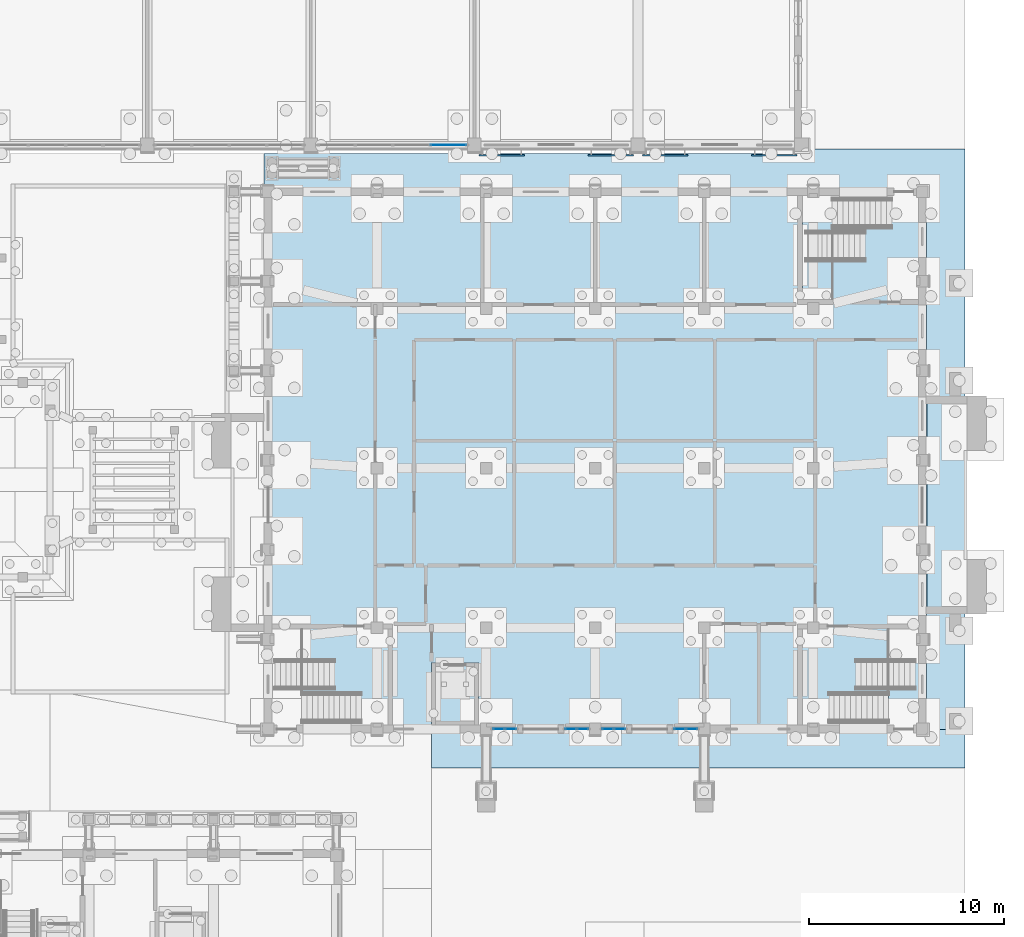
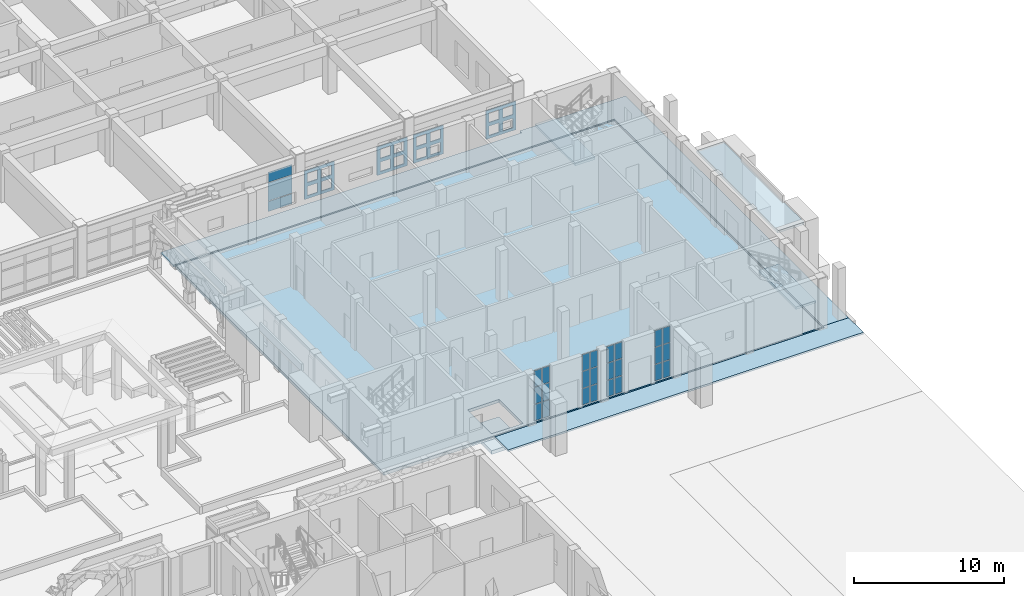
# One storey, part 57 of 112: 31 plates, 7 slabs, 7 elements without a shape of their own.
"""IFC4 building model written with IfcOpenShell, lengths in metres."""

from ifc_helpers import new_model, si_unit, direction, frame, origin, origin_2d, place, context, subcontext, project, spatial, polyline, rectangle, outline, extrude, material, layer, layer_set, material_profile, profile_set, type_object, element, aggregate, save


model = new_model("IFC4")

# Units and contexts
model_context = context("Model", 3, precision=1e-05, world=origin(), true_north=direction((0.0, 1.0)))
body_context = subcontext(model_context, "Body", "Model", "MODEL_VIEW")
ifc_project = project(units=[si_unit("LENGTHUNIT", "METRE"), si_unit("AREAUNIT", "SQUARE_METRE"), si_unit("VOLUMEUNIT", "CUBIC_METRE"), si_unit("PLANEANGLEUNIT", "RADIAN"), si_unit("MASSUNIT", "GRAM", prefix="KILO")], contexts=[model_context])

# Site, building, storey
site_placement = place(None, origin())
site = spatial("IfcSite", under=ifc_project, at=site_placement, CompositionType="ELEMENT")
building_placement = place(site_placement, origin())
building = spatial("IfcBuilding", under=site, at=building_placement, Name="Wasatch Bagh Community Centre", CompositionType="ELEMENT")
storey_placement = place(building_placement, origin())
storey = spatial("IfcBuildingStorey", under=building, at=storey_placement, Name="L00", CompositionType="ELEMENT", Elevation=0.0)

# Slabs
ifc_material_1 = material(Name="Concrete C35", Category="concrete")
ifc_layer_1 = layer(ifc_material_1, 0.199951171875)
ifc_layer_set_1 = layer_set([ifc_layer_1], Name="Concrete C35")
slab_type_1 = type_object("IfcSlabType", Name="CL-S1", PredefinedType="ROOF", material=ifc_layer_set_1)
slab_1_placement = place(storey_placement, frame((0.0, 0.0, 3.85009765625)))
element("IfcSlab", 1, at=slab_1_placement, inside=storey, type_object=slab_type_1, Name="CL-S1 porch roof", PredefinedType="ROOF", context=body_context, shape_type="SweptSolid", body=[
    extrude(outline(polyline([(148.10009765625, 55.10009765625), (148.10009765625, 44.300048828125), (146.050048828125, 44.300048828125), (146.050048828125, 55.10009765625), (148.10009765625, 55.10009765625)])), origin(), (0.0, 0.0, 1.0), 0.199951171875),
])
ifc_material_2 = material(Name="Concrete C30", Category="concrete")
ifc_layer_2 = layer(ifc_material_2, 0.25)
ifc_layer_set_2 = layer_set([ifc_layer_2], Name="Concrete C30")
slab_type_2 = type_object("IfcSlabType", Name="FD-SG-SH", PredefinedType="BASESLAB", material=ifc_layer_set_2)
slab_2_placement = place(storey_placement, frame((0.0, 0.0, -0.25)))
element("IfcSlab", 2, at=slab_2_placement, inside=storey, type_object=slab_type_2, Name="Slab on grade SH", PredefinedType="BASESLAB", context=body_context, shape_type="SweptSolid", body=[
    extrude(outline(polyline([(112.10009765625, 38.10009765625), (112.10009765625, 65.89990234375), (145.89990234375, 65.89990234375), (145.89990234375, 38.10009765625), (112.10009765625, 38.10009765625)]), holes=[polyline([(123.0009765625, 41.610107421875), (120.60009765625, 41.610107421875), (120.590087890625, 41.60009765625), (120.590087890625, 38.39990234375), (120.60009765625, 38.389892578125), (123.0, 38.389892578125), (123.010009765625, 38.39990234375), (123.010009765625, 41.60009765625), (123.0009765625, 41.610107421875)])]), origin(), (0.0, 0.0, 1.0), 0.25),
])

# Curtain wall, plates
ifc_material_3 = material(Name="Aluminium curtain wall frame with low-iron glass", Category="aluminium")
ifc_layer_3 = layer(ifc_material_3, 0.139892578125)
ifc_layer_set_3 = layer_set([ifc_layer_3], Name="Aluminium curtain wall frame with low-iron glass")
curtain_wall_type_1 = type_object("IfcCurtainWallType", Name="LW terrace front curtain wall 140", PredefinedType="NOTDEFINED", material=ifc_layer_set_3)
curtain_wall_1_placement = place(storey_placement, origin())
curtain_wall_1 = element("IfcCurtainWall", 3, at=curtain_wall_1_placement, inside=storey, type_object=curtain_wall_type_1, Name="Curtain wall 00.05", PredefinedType="NOTDEFINED")
ifc_material_4 = material(Name="Low-iron insulated glass", Category="glass")
ifc_layer_4 = layer(ifc_material_4, 0.028076171875)
ifc_layer_set_4 = layer_set([ifc_layer_4], Name="Low-iron insulated glass")
plate_type_1 = type_object("IfcPlateType", Name="LW curtain wall panel 28 LW-CW3", PredefinedType="CURTAIN_PANEL", material=ifc_layer_set_4)
plate_1_placement = place(storey_placement, frame((121.472412109375, 68.199951171875, 0.06005859375), z_axis=(0.0, 0.0, 1.0), x_axis=(1.0, 0.0, 0.0)))
plate_1 = element("IfcPlate", 4, at=plate_1_placement, type_object=plate_type_1, Name="LW-CW3 panel 4.1", PredefinedType="CURTAIN_PANEL", context=body_context, shape_type="SweptSolid", body=[
    extrude(rectangle(XDim=1.8349609375, YDim=0.028076171875, at=origin_2d()), origin(), (0.0, 0.0, 1.0), 0.81005859375),
])
plate_2_placement = place(storey_placement, frame((121.472412109375, 68.199951171875, 0.929931640625), z_axis=(0.0, 0.0, 1.0), x_axis=(1.0, 0.0, 0.0)))
plate_2 = element("IfcPlate", 5, at=plate_2_placement, type_object=plate_type_1, Name="LW-CW3 panel 4.2", PredefinedType="CURTAIN_PANEL", context=body_context, shape_type="SweptSolid", body=[
    extrude(rectangle(XDim=1.8349609375, YDim=0.028076171875, at=origin_2d()), origin(), (0.0, 0.0, 1.0), 1.43994140625),
])
plate_3_placement = place(storey_placement, frame((121.472412109375, 68.199951171875, 2.429931640625), z_axis=(0.0, 0.0, 1.0), x_axis=(1.0, 0.0, 0.0)))
plate_3 = element("IfcPlate", 6, at=plate_3_placement, type_object=plate_type_1, Name="LW-CW3 panel 4.3", PredefinedType="CURTAIN_PANEL", context=body_context, shape_type="SweptSolid", body=[
    extrude(rectangle(XDim=1.8349609375, YDim=0.028076171875, at=origin_2d()), origin(), (0.0, 0.0, 1.0), 0.830078125),
])
aggregate(curtain_wall_1, [plate_1, plate_2, plate_3])

# Plates
ifc_material_5 = material(Name="Precast concrete C40/50", Category="concrete")
ifc_material_profile = material_profile(ifc_material_5, outline(polyline([(-1.159912109375, -1.159912109375), (1.159912109375, -1.159912109375), (1.159912109375, 1.159912109375), (-1.159912109375, 1.159912109375), (-1.159912109375, -1.159912109375)]), holes=[polyline([(-0.919921875, -0.919921875), (-0.14990234375, -0.919921875), (-0.14990234375, -0.14990234375), (-0.919921875, -0.14990234375), (-0.919921875, -0.919921875)]), polyline([(-0.919921875, 0.14990234375), (-0.14990234375, 0.14990234375), (-0.14990234375, 0.919921875), (-0.919921875, 0.919921875), (-0.919921875, 0.14990234375)]), polyline([(0.14990234375, -0.919921875), (0.919921875, -0.919921875), (0.919921875, -0.14990234375), (0.14990234375, -0.14990234375), (0.14990234375, -0.919921875)]), polyline([(0.14990234375, 0.14990234375), (0.919921875, 0.14990234375), (0.919921875, 0.919921875), (0.14990234375, 0.919921875), (0.14990234375, 0.14990234375)])]), Name="Jali lattice")
ifc_profile_set = profile_set([ifc_material_profile], Name="Precast concrete C40/50")
plate_type_2 = type_object("IfcPlateType", Name="LW jali panel 2320x2320", PredefinedType="SHEET", material=ifc_profile_set)
for number, where, z_axis, x_axis, name in (
    (7, (124.199951171875, 67.699951171875, 1.659912109375), (0.0, -1.0, 0.0), (1.0, 0.0, 0.0), "Jali panel"),
    (8, (129.800048828125, 67.699951171875, 1.659912109375), (0.0, -1.0, 0.0), (1.0, 0.0, 0.0), "Jali panel"),
    (9, (132.60009765625, 67.699951171875, 1.659912109375), (0.0, -1.0, 0.0), (1.0, 0.0, 0.0), "Jali panel"),
    (10, (138.199951171875, 67.699951171875, 1.659912109375), (0.0, -1.0, 0.0), (1.0, 0.0, 0.0), "Jali panel"),
):
    element("IfcPlate", number, at=place(storey_placement, frame(where, z_axis=z_axis, x_axis=x_axis)), inside=storey, type_object=plate_type_2, Name=name, PredefinedType="SHEET", context=body_context, shape_type="SweptSolid", body=[
        extrude(outline(polyline([(-1.159912109375, -1.159912109375), (1.159912109375, -1.159912109375), (1.159912109375, 1.159912109375), (-1.159912109375, 1.159912109375), (-1.159912109375, -1.159912109375)]), holes=[polyline([(-0.919921875, -0.919921875), (-0.14990234375, -0.919921875), (-0.14990234375, -0.14990234375), (-0.919921875, -0.14990234375), (-0.919921875, -0.919921875)]), polyline([(-0.919921875, 0.14990234375), (-0.14990234375, 0.14990234375), (-0.14990234375, 0.919921875), (-0.919921875, 0.919921875), (-0.919921875, 0.14990234375)]), polyline([(0.14990234375, -0.919921875), (0.919921875, -0.919921875), (0.919921875, -0.14990234375), (0.14990234375, -0.14990234375), (0.14990234375, -0.919921875)]), polyline([(0.14990234375, 0.14990234375), (0.919921875, 0.14990234375), (0.919921875, 0.919921875), (0.14990234375, 0.919921875), (0.14990234375, 0.14990234375)])]), origin(), (0.0, 0.0, 1.0), 0.070068359375),
    ])

# Stair, slab
stair_type = type_object("IfcStairType", Name="SH stair 1500", PredefinedType="HALF_TURN_STAIR", material=ifc_material_1)
stair_1_placement = place(storey_placement, origin())
stair_1 = element("IfcStair", 11, at=stair_1_placement, inside=storey, type_object=stair_type, Name="ST2 stair", PredefinedType="HALF_TURN_STAIR")
ifc_layer_5 = layer(ifc_material_1, 0.199951171875)
ifc_layer_set_5 = layer_set([ifc_layer_5], Name="Concrete C35")
slab_type_3 = type_object("IfcSlabType", Name="SH landing 200", PredefinedType="LANDING", material=ifc_layer_set_5)
slab_3_placement = place(storey_placement, frame((0.0, 0.0, 1.89990234375)))
slab_3 = element("IfcSlab", 12, at=slab_3_placement, type_object=slab_type_3, Name="ST2 landing 1", PredefinedType="LANDING", context=body_context, shape_type="SweptSolid", body=[
    extrude(outline(polyline([(144.06005859375, 38.39990234375), (145.60009765625, 38.39990234375), (145.60009765625, 43.35009765625), (144.06005859375, 43.35009765625), (144.06005859375, 38.39990234375)])), origin(), (0.0, 0.0, 1.0), 0.2001953125),
])
aggregate(stair_1, [slab_3])

stair_2_placement = place(storey_placement, origin())
stair_2 = element("IfcStair", 13, at=stair_2_placement, inside=storey, type_object=stair_type, Name="ST3 stair", PredefinedType="HALF_TURN_STAIR")
slab_4_placement = place(storey_placement, frame((0.0, 0.0, 1.89990234375)))
slab_4 = element("IfcSlab", 14, at=slab_4_placement, type_object=slab_type_3, Name="ST3 landing 1", PredefinedType="LANDING", context=body_context, shape_type="SweptSolid", body=[
    extrude(outline(polyline([(141.18994140625, 65.60009765625), (139.64990234375, 65.60009765625), (139.64990234375, 60.25), (141.18994140625, 60.25), (141.18994140625, 65.60009765625)])), origin(), (0.0, 0.0, 1.0), 0.2001953125),
])
aggregate(stair_2, [slab_4])

# Slab
ifc_layer_6 = layer(ifc_material_1, 0.300048828125)
ifc_layer_set_6 = layer_set([ifc_layer_6], Name="Concrete C35")
slab_type_4 = type_object("IfcSlabType", Name="SH lift pit slab 300", PredefinedType="BASESLAB", material=ifc_layer_set_6)
slab_5_placement = place(storey_placement, frame((0.0, 0.0, -1.699951171875)))
element("IfcSlab", 15, at=slab_5_placement, inside=storey, type_object=slab_type_4, Name="SH.slab.L00.pit.LF1", PredefinedType="BASESLAB", context=body_context, shape_type="SweptSolid", body=[
    extrude(outline(polyline([(120.60009765625, 38.39990234375), (123.0, 38.39990234375), (123.0, 41.60009765625), (120.60009765625, 41.60009765625), (120.60009765625, 38.39990234375)])), origin(), (0.0, 0.0, 1.0), 0.300048828125),
])

# Curtain wall, plates
ifc_material_6 = material(Name="Aluminium alloy 6063-T6", Category="aluminium")
ifc_layer_7 = layer(ifc_material_6, 0.10009765625)
ifc_layer_set_7 = layer_set([ifc_layer_7], Name="Aluminium alloy 6063-T6")
curtain_wall_type_2 = type_object("IfcCurtainWallType", Name="SH-CW1", PredefinedType="NOTDEFINED", material=ifc_layer_set_7)
curtain_wall_2_placement = place(storey_placement, origin())
curtain_wall_2 = element("IfcCurtainWall", 16, at=curtain_wall_2_placement, inside=storey, type_object=curtain_wall_type_2, Name="Curtain wall SH-CW1", PredefinedType="NOTDEFINED")
ifc_material_7 = material(Name="Laminated glass 8+8 mm", Category="glass")
ifc_layer_8 = layer(ifc_material_7, 0.028076171875)
ifc_layer_set_8 = layer_set([ifc_layer_8], Name="Laminated glass 8+8 mm")
plate_type_3 = type_object("IfcPlateType", Name="SH-CW1 panel", PredefinedType="CURTAIN_PANEL", material=ifc_layer_set_8)
plate_4_placement = place(storey_placement, frame((124.0400390625, 38.199951171875, 0.06005859375), z_axis=(0.0, 0.0, 1.0), x_axis=(1.0, 0.0, 0.0)))
plate_4 = element("IfcPlate", 17, at=plate_4_placement, type_object=plate_type_3, Name="SH-CW1 panel 1.1", PredefinedType="CURTAIN_PANEL", context=body_context, shape_type="SweptSolid", body=[
    extrude(rectangle(XDim=0.56005859375, YDim=0.028076171875, at=origin_2d()), origin(), (0.0, 0.0, 1.0), 1.31005859375),
])
plate_5_placement = place(storey_placement, frame((124.0400390625, 38.199951171875, 1.43017578125), z_axis=(0.0, 0.0, 1.0), x_axis=(1.0, 0.0, 0.0)))
plate_5 = element("IfcPlate", 18, at=plate_5_placement, type_object=plate_type_3, Name="SH-CW1 panel 1.2", PredefinedType="CURTAIN_PANEL", context=body_context, shape_type="SweptSolid", body=[
    extrude(rectangle(XDim=0.56005859375, YDim=0.028076171875, at=origin_2d()), origin(), (0.0, 0.0, 1.0), 1.340087890625),
])
plate_6_placement = place(storey_placement, frame((124.0400390625, 38.199951171875, 2.830078125), z_axis=(0.0, 0.0, 1.0), x_axis=(1.0, 0.0, 0.0)))
plate_6 = element("IfcPlate", 19, at=plate_6_placement, type_object=plate_type_3, Name="SH-CW1 panel 1.3", PredefinedType="CURTAIN_PANEL", context=body_context, shape_type="SweptSolid", body=[
    extrude(rectangle(XDim=0.56005859375, YDim=0.028076171875, at=origin_2d()), origin(), (0.0, 0.0, 1.0), 1.31005859375),
])
plate_7_placement = place(storey_placement, frame((124.659912109375, 38.199951171875, 0.06005859375), z_axis=(0.0, 0.0, 1.0), x_axis=(1.0, 0.0, 0.0)))
plate_7 = element("IfcPlate", 20, at=plate_7_placement, type_object=plate_type_3, Name="SH-CW1 panel 2.1", PredefinedType="CURTAIN_PANEL", context=body_context, shape_type="SweptSolid", body=[
    extrude(rectangle(XDim=0.56005859375, YDim=0.028076171875, at=origin_2d()), origin(), (0.0, 0.0, 1.0), 1.31005859375),
])
plate_8_placement = place(storey_placement, frame((124.659912109375, 38.199951171875, 1.43017578125), z_axis=(0.0, 0.0, 1.0), x_axis=(1.0, 0.0, 0.0)))
plate_8 = element("IfcPlate", 21, at=plate_8_placement, type_object=plate_type_3, Name="SH-CW1 panel 2.2", PredefinedType="CURTAIN_PANEL", context=body_context, shape_type="SweptSolid", body=[
    extrude(rectangle(XDim=0.56005859375, YDim=0.028076171875, at=origin_2d()), origin(), (0.0, 0.0, 1.0), 1.340087890625),
])
plate_9_placement = place(storey_placement, frame((124.659912109375, 38.199951171875, 2.830078125), z_axis=(0.0, 0.0, 1.0), x_axis=(1.0, 0.0, 0.0)))
plate_9 = element("IfcPlate", 22, at=plate_9_placement, type_object=plate_type_3, Name="SH-CW1 panel 2.3", PredefinedType="CURTAIN_PANEL", context=body_context, shape_type="SweptSolid", body=[
    extrude(rectangle(XDim=0.56005859375, YDim=0.028076171875, at=origin_2d()), origin(), (0.0, 0.0, 1.0), 1.31005859375),
])
aggregate(curtain_wall_2, [plate_4, plate_5, plate_6, plate_7, plate_8, plate_9])

curtain_wall_3_placement = place(storey_placement, origin())
curtain_wall_3 = element("IfcCurtainWall", 23, at=curtain_wall_3_placement, inside=storey, type_object=curtain_wall_type_2, Name="Curtain wall SH-CW1", PredefinedType="NOTDEFINED")
plate_10_placement = place(storey_placement, frame((127.739990234375, 38.199951171875, 0.06005859375), z_axis=(0.0, 0.0, 1.0), x_axis=(1.0, 0.0, 0.0)))
plate_10 = element("IfcPlate", 24, at=plate_10_placement, type_object=plate_type_3, Name="SH-CW1 panel 1.1", PredefinedType="CURTAIN_PANEL", context=body_context, shape_type="SweptSolid", body=[
    extrude(rectangle(XDim=0.56005859375, YDim=0.028076171875, at=origin_2d()), origin(), (0.0, 0.0, 1.0), 1.31005859375),
])
plate_11_placement = place(storey_placement, frame((127.739990234375, 38.199951171875, 1.43017578125), z_axis=(0.0, 0.0, 1.0), x_axis=(1.0, 0.0, 0.0)))
plate_11 = element("IfcPlate", 25, at=plate_11_placement, type_object=plate_type_3, Name="SH-CW1 panel 1.2", PredefinedType="CURTAIN_PANEL", context=body_context, shape_type="SweptSolid", body=[
    extrude(rectangle(XDim=0.56005859375, YDim=0.028076171875, at=origin_2d()), origin(), (0.0, 0.0, 1.0), 1.340087890625),
])
plate_12_placement = place(storey_placement, frame((127.739990234375, 38.199951171875, 2.830078125), z_axis=(0.0, 0.0, 1.0), x_axis=(1.0, 0.0, 0.0)))
plate_12 = element("IfcPlate", 26, at=plate_12_placement, type_object=plate_type_3, Name="SH-CW1 panel 1.3", PredefinedType="CURTAIN_PANEL", context=body_context, shape_type="SweptSolid", body=[
    extrude(rectangle(XDim=0.56005859375, YDim=0.028076171875, at=origin_2d()), origin(), (0.0, 0.0, 1.0), 1.31005859375),
])
plate_13_placement = place(storey_placement, frame((128.360107421875, 38.199951171875, 0.06005859375), z_axis=(0.0, 0.0, 1.0), x_axis=(1.0, 0.0, 0.0)))
plate_13 = element("IfcPlate", 27, at=plate_13_placement, type_object=plate_type_3, Name="SH-CW1 panel 2.1", PredefinedType="CURTAIN_PANEL", context=body_context, shape_type="SweptSolid", body=[
    extrude(rectangle(XDim=0.56005859375, YDim=0.028076171875, at=origin_2d()), origin(), (0.0, 0.0, 1.0), 1.31005859375),
])
plate_14_placement = place(storey_placement, frame((128.360107421875, 38.199951171875, 1.43017578125), z_axis=(0.0, 0.0, 1.0), x_axis=(1.0, 0.0, 0.0)))
plate_14 = element("IfcPlate", 28, at=plate_14_placement, type_object=plate_type_3, Name="SH-CW1 panel 2.2", PredefinedType="CURTAIN_PANEL", context=body_context, shape_type="SweptSolid", body=[
    extrude(rectangle(XDim=0.56005859375, YDim=0.028076171875, at=origin_2d()), origin(), (0.0, 0.0, 1.0), 1.340087890625),
])
plate_15_placement = place(storey_placement, frame((128.360107421875, 38.199951171875, 2.830078125), z_axis=(0.0, 0.0, 1.0), x_axis=(1.0, 0.0, 0.0)))
plate_15 = element("IfcPlate", 29, at=plate_15_placement, type_object=plate_type_3, Name="SH-CW1 panel 2.3", PredefinedType="CURTAIN_PANEL", context=body_context, shape_type="SweptSolid", body=[
    extrude(rectangle(XDim=0.56005859375, YDim=0.028076171875, at=origin_2d()), origin(), (0.0, 0.0, 1.0), 1.31005859375),
])
aggregate(curtain_wall_3, [plate_10, plate_11, plate_12, plate_13, plate_14, plate_15])

curtain_wall_4_placement = place(storey_placement, origin())
curtain_wall_4 = element("IfcCurtainWall", 30, at=curtain_wall_4_placement, inside=storey, type_object=curtain_wall_type_2, Name="Curtain wall SH-CW1", PredefinedType="NOTDEFINED")
plate_16_placement = place(storey_placement, frame((129.639892578125, 38.199951171875, 0.06005859375), z_axis=(0.0, 0.0, 1.0), x_axis=(1.0, 0.0, 0.0)))
plate_16 = element("IfcPlate", 31, at=plate_16_placement, type_object=plate_type_3, Name="SH-CW1 panel 1.1", PredefinedType="CURTAIN_PANEL", context=body_context, shape_type="SweptSolid", body=[
    extrude(rectangle(XDim=0.56005859375, YDim=0.028076171875, at=origin_2d()), origin(), (0.0, 0.0, 1.0), 1.31005859375),
])
plate_17_placement = place(storey_placement, frame((129.639892578125, 38.199951171875, 1.43017578125), z_axis=(0.0, 0.0, 1.0), x_axis=(1.0, 0.0, 0.0)))
plate_17 = element("IfcPlate", 32, at=plate_17_placement, type_object=plate_type_3, Name="SH-CW1 panel 1.2", PredefinedType="CURTAIN_PANEL", context=body_context, shape_type="SweptSolid", body=[
    extrude(rectangle(XDim=0.56005859375, YDim=0.028076171875, at=origin_2d()), origin(), (0.0, 0.0, 1.0), 1.340087890625),
])
plate_18_placement = place(storey_placement, frame((129.639892578125, 38.199951171875, 2.830078125), z_axis=(0.0, 0.0, 1.0), x_axis=(1.0, 0.0, 0.0)))
plate_18 = element("IfcPlate", 33, at=plate_18_placement, type_object=plate_type_3, Name="SH-CW1 panel 1.3", PredefinedType="CURTAIN_PANEL", context=body_context, shape_type="SweptSolid", body=[
    extrude(rectangle(XDim=0.56005859375, YDim=0.028076171875, at=origin_2d()), origin(), (0.0, 0.0, 1.0), 1.31005859375),
])
plate_19_placement = place(storey_placement, frame((130.260009765625, 38.199951171875, 0.06005859375), z_axis=(0.0, 0.0, 1.0), x_axis=(1.0, 0.0, 0.0)))
plate_19 = element("IfcPlate", 34, at=plate_19_placement, type_object=plate_type_3, Name="SH-CW1 panel 2.1", PredefinedType="CURTAIN_PANEL", context=body_context, shape_type="SweptSolid", body=[
    extrude(rectangle(XDim=0.56005859375, YDim=0.028076171875, at=origin_2d()), origin(), (0.0, 0.0, 1.0), 1.31005859375),
])
plate_20_placement = place(storey_placement, frame((130.260009765625, 38.199951171875, 1.43017578125), z_axis=(0.0, 0.0, 1.0), x_axis=(1.0, 0.0, 0.0)))
plate_20 = element("IfcPlate", 35, at=plate_20_placement, type_object=plate_type_3, Name="SH-CW1 panel 2.2", PredefinedType="CURTAIN_PANEL", context=body_context, shape_type="SweptSolid", body=[
    extrude(rectangle(XDim=0.56005859375, YDim=0.028076171875, at=origin_2d()), origin(), (0.0, 0.0, 1.0), 1.340087890625),
])
plate_21_placement = place(storey_placement, frame((130.260009765625, 38.199951171875, 2.830078125), z_axis=(0.0, 0.0, 1.0), x_axis=(1.0, 0.0, 0.0)))
plate_21 = element("IfcPlate", 36, at=plate_21_placement, type_object=plate_type_3, Name="SH-CW1 panel 2.3", PredefinedType="CURTAIN_PANEL", context=body_context, shape_type="SweptSolid", body=[
    extrude(rectangle(XDim=0.56005859375, YDim=0.028076171875, at=origin_2d()), origin(), (0.0, 0.0, 1.0), 1.31005859375),
])
aggregate(curtain_wall_4, [plate_16, plate_17, plate_18, plate_19, plate_20, plate_21])

curtain_wall_5_placement = place(storey_placement, origin())
curtain_wall_5 = element("IfcCurtainWall", 37, at=curtain_wall_5_placement, inside=storey, type_object=curtain_wall_type_2, Name="Curtain wall SH-CW1", PredefinedType="NOTDEFINED")
plate_22_placement = place(storey_placement, frame((133.340087890625, 38.199951171875, 0.06005859375), z_axis=(0.0, 0.0, 1.0), x_axis=(1.0, 0.0, 0.0)))
plate_22 = element("IfcPlate", 38, at=plate_22_placement, type_object=plate_type_3, Name="SH-CW1 panel 1.1", PredefinedType="CURTAIN_PANEL", context=body_context, shape_type="SweptSolid", body=[
    extrude(rectangle(XDim=0.56005859375, YDim=0.028076171875, at=origin_2d()), origin(), (0.0, 0.0, 1.0), 1.31005859375),
])
plate_23_placement = place(storey_placement, frame((133.340087890625, 38.199951171875, 1.43017578125), z_axis=(0.0, 0.0, 1.0), x_axis=(1.0, 0.0, 0.0)))
plate_23 = element("IfcPlate", 39, at=plate_23_placement, type_object=plate_type_3, Name="SH-CW1 panel 1.2", PredefinedType="CURTAIN_PANEL", context=body_context, shape_type="SweptSolid", body=[
    extrude(rectangle(XDim=0.56005859375, YDim=0.028076171875, at=origin_2d()), origin(), (0.0, 0.0, 1.0), 1.340087890625),
])
plate_24_placement = place(storey_placement, frame((133.340087890625, 38.199951171875, 2.830078125), z_axis=(0.0, 0.0, 1.0), x_axis=(1.0, 0.0, 0.0)))
plate_24 = element("IfcPlate", 40, at=plate_24_placement, type_object=plate_type_3, Name="SH-CW1 panel 1.3", PredefinedType="CURTAIN_PANEL", context=body_context, shape_type="SweptSolid", body=[
    extrude(rectangle(XDim=0.56005859375, YDim=0.028076171875, at=origin_2d()), origin(), (0.0, 0.0, 1.0), 1.31005859375),
])
plate_25_placement = place(storey_placement, frame((133.9599609375, 38.199951171875, 0.06005859375), z_axis=(0.0, 0.0, 1.0), x_axis=(1.0, 0.0, 0.0)))
plate_25 = element("IfcPlate", 41, at=plate_25_placement, type_object=plate_type_3, Name="SH-CW1 panel 2.1", PredefinedType="CURTAIN_PANEL", context=body_context, shape_type="SweptSolid", body=[
    extrude(rectangle(XDim=0.56005859375, YDim=0.028076171875, at=origin_2d()), origin(), (0.0, 0.0, 1.0), 1.31005859375),
])
plate_26_placement = place(storey_placement, frame((133.9599609375, 38.199951171875, 1.43017578125), z_axis=(0.0, 0.0, 1.0), x_axis=(1.0, 0.0, 0.0)))
plate_26 = element("IfcPlate", 42, at=plate_26_placement, type_object=plate_type_3, Name="SH-CW1 panel 2.2", PredefinedType="CURTAIN_PANEL", context=body_context, shape_type="SweptSolid", body=[
    extrude(rectangle(XDim=0.56005859375, YDim=0.028076171875, at=origin_2d()), origin(), (0.0, 0.0, 1.0), 1.340087890625),
])
plate_27_placement = place(storey_placement, frame((133.9599609375, 38.199951171875, 2.830078125), z_axis=(0.0, 0.0, 1.0), x_axis=(1.0, 0.0, 0.0)))
plate_27 = element("IfcPlate", 43, at=plate_27_placement, type_object=plate_type_3, Name="SH-CW1 panel 2.3", PredefinedType="CURTAIN_PANEL", context=body_context, shape_type="SweptSolid", body=[
    extrude(rectangle(XDim=0.56005859375, YDim=0.028076171875, at=origin_2d()), origin(), (0.0, 0.0, 1.0), 1.31005859375),
])
aggregate(curtain_wall_5, [plate_22, plate_23, plate_24, plate_25, plate_26, plate_27])

# Slabs
ifc_material_8 = material(Name="Grass-crete paving on Concrete C30 base", Category="concrete")
ifc_layer_9 = layer(ifc_material_8, 0.14990234375)
ifc_layer_set_9 = layer_set([ifc_layer_9], Name="Grass-crete paving on Concrete C30 base")
slab_type_5 = type_object("IfcSlabType", Name="SITE-G2 on grade", PredefinedType="BASESLAB", material=ifc_layer_set_9)
slab_6_placement = place(storey_placement, frame((0.0, 0.0, -0.14990234375)))
element("IfcSlab", 44, at=slab_6_placement, inside=storey, type_object=slab_type_5, Name="Paving - Sports hall verge", PredefinedType="BASESLAB", context=body_context, shape_type="SweptSolid", body=[
    extrude(outline(polyline([(146.02001953125, 38.179931640625), (146.02001953125, 66.02001953125), (112.0, 66.02001953125), (112.0, 67.75), (139.85009765625, 67.75), (139.85009765625, 68.0), (148.0, 68.0), (148.0, 38.179931640625), (146.02001953125, 38.179931640625)])), origin(), (0.0, 0.0, 1.0), 0.14990234375),
])
ifc_material_9 = material(Name="Sandstone paving on Concrete C30 base", Category="masonry")
ifc_layer_10 = layer(ifc_material_9, 0.14990234375)
ifc_layer_set_10 = layer_set([ifc_layer_10], Name="Sandstone paving on Concrete C30 base")
slab_type_6 = type_object("IfcSlabType", Name="SITE-P2", PredefinedType="FLOOR", material=ifc_layer_set_10)
slab_7_placement = place(storey_placement, frame((0.0, 0.0, -0.14990234375)))
element("IfcSlab", 45, at=slab_7_placement, inside=storey, type_object=slab_type_6, Name="Paving - Sports hall walkway", PredefinedType="FLOOR", context=body_context, shape_type="SweptSolid", body=[
    extrude(outline(polyline([(148.0, 36.199951171875), (120.60009765625, 36.199951171875), (120.60009765625, 37.97998046875), (146.02001953125, 37.97998046875), (146.02001953125, 38.179931640625), (148.0, 38.179931640625), (148.0, 36.199951171875)])), origin(), (0.0, 0.0, 1.0), 0.14990234375),
])

save(model, "model.ifc")
